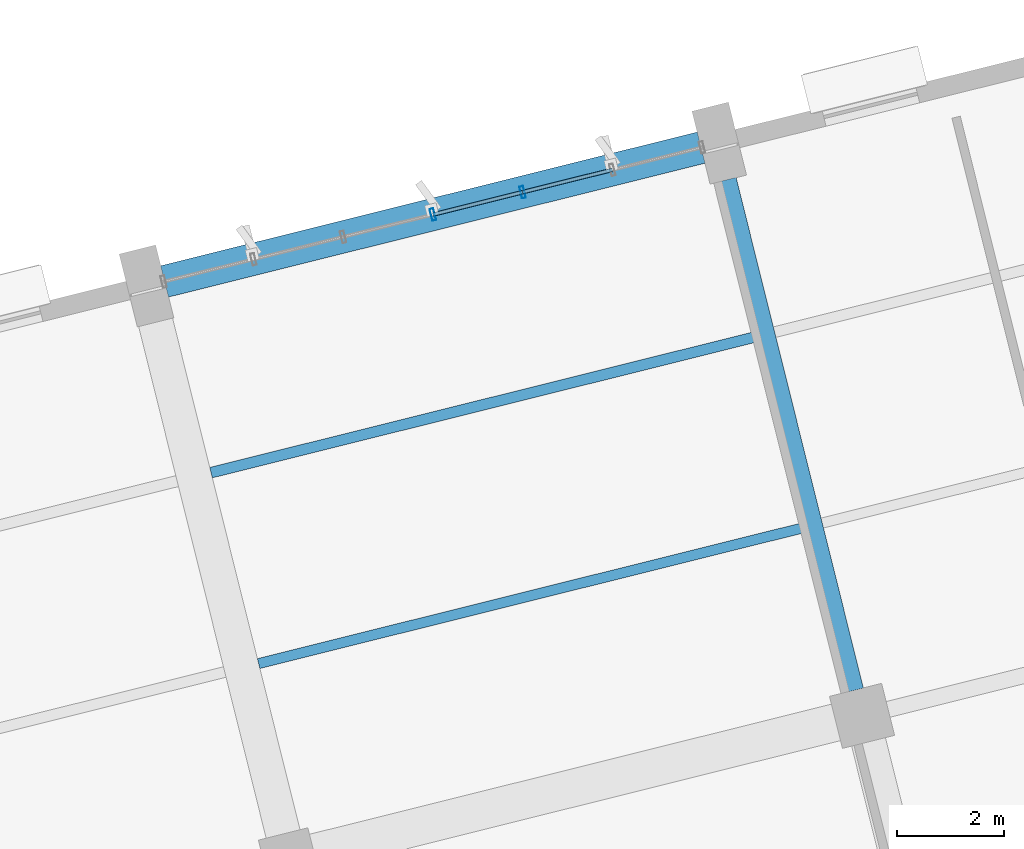
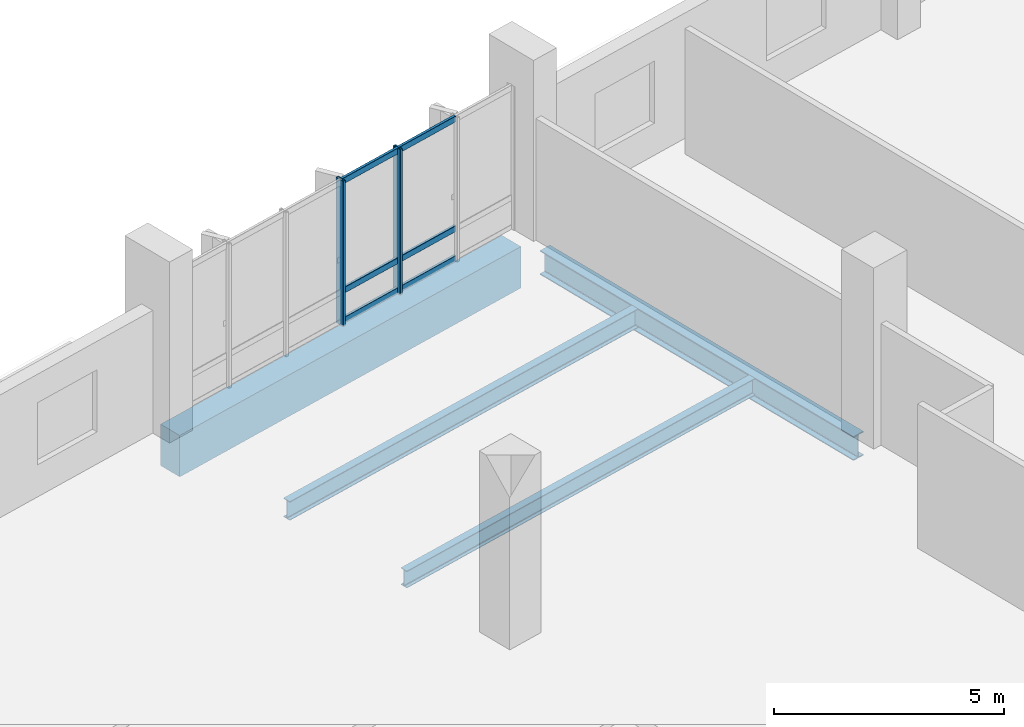
# One storey, part 98 of 137: 8 members, 4 beams, 1 element without a shape of its own.
"""IFC4 building model written with IfcOpenShell, lengths in metres."""

import ifcopenshell
import ifcopenshell.guid

model = None  # the IFC model being written
_history = None  # IfcOwnerHistory: only IFC2X3 demands one
_inside = {}  # id of a spatial element -> (the spatial element, [elements in it])
_under = {}  # id of a project, library or spatial element -> (it, [spatial elements below it])
_declared = {}  # id of a project -> (the project, [libraries it declares])
_typed = {}  # id of a type object -> (the type object, [elements of that type])
_made_of = {}  # id of a material, layer set ... -> (it, [elements and type objects made of it])


def new_model(schema):
    """Start an empty IFC model of exactly this schema.

    Asked for "IFC4X3", IfcOpenShell would pick the latest addendum, in which some entities
    have other attributes; the version numbers below select the first issue.
    IFC2X3 requires an IfcOwnerHistory on every rooted entity: one is made here for all.
    """
    global model, _history
    if schema == "IFC4X3":
        model = ifcopenshell.file(schema_version=(4, 3, 0, 0))
    else:
        model = ifcopenshell.file(schema=schema)
    _inside.clear()
    _under.clear()
    _declared.clear()
    _typed.clear()
    _made_of.clear()
    _history = None
    if model.schema == "IFC2X3":
        org = make("IfcOrganization", Name="unknown")
        user = make(
            "IfcPersonAndOrganization",
            ThePerson=make("IfcPerson", FamilyName="unknown"),
            TheOrganization=org,
        )
        app = make(
            "IfcApplication",
            ApplicationDeveloper=org,
            Version="unknown",
            ApplicationFullName="unknown",
            ApplicationIdentifier="unknown",
        )
        _history = make(
            "IfcOwnerHistory",
            OwningUser=user,
            OwningApplication=app,
            ChangeAction="ADDED",
            CreationDate=0,
        )
    return model


def make(cls, **values):
    """One entity of the class cls with the attributes given. An attribute that is None is left unset."""
    return model.create_entity(
        cls, **{name: value for name, value in values.items() if value is not None}
    )


def rooted(cls, **values):
    """An entity with a GlobalId (a new one), such as an element, a storey or a relation."""
    return make(cls, GlobalId=ifcopenshell.guid.new(), OwnerHistory=_history, **values)


def si_unit(unit_type, name, prefix=None):
    """IfcSIUnit, for example si_unit("LENGTHUNIT", "METRE", prefix="MILLI")."""
    return make("IfcSIUnit", UnitType=unit_type, Prefix=prefix, Name=name)


def assignment(units):
    """IfcUnitAssignment: the units of a project."""
    return None if units is None else make("IfcUnitAssignment", Units=units)


def point(xyz):
    """IfcCartesianPoint."""
    return None if xyz is None else make("IfcCartesianPoint", Coordinates=xyz)


def direction(xyz):
    """IfcDirection."""
    return None if xyz is None else make("IfcDirection", DirectionRatios=xyz)


def frame(location, z_axis=None, x_axis=None):
    """IfcAxis2Placement3D, a coordinate frame: its origin and axes. An axis left out is left unset."""
    return make(
        "IfcAxis2Placement3D",
        Location=point(location),
        Axis=direction(z_axis),
        RefDirection=direction(x_axis),
    )


def frame_2d(location, x_axis=None):
    """IfcAxis2Placement2D, a coordinate frame in the plane: its origin and x axis."""
    return make(
        "IfcAxis2Placement2D", Location=point(location), RefDirection=direction(x_axis)
    )


def origin():
    """The frame at (0, 0, 0) with its axes left unset."""
    return frame((0.0, 0.0, 0.0))


def origin_2d():
    """The frame at (0, 0) in the plane with its x axis left unset."""
    return frame_2d((0.0, 0.0))


def place(relative_to, where):
    """IfcLocalPlacement: puts the frame where relative to a parent placement (None: the world)."""
    return make(
        "IfcLocalPlacement", PlacementRelTo=relative_to, RelativePlacement=where
    )


def context(
    kind, dimensions, precision=None, world=None, true_north=None, identifier=None
):
    """IfcGeometricRepresentationContext, for example the 3D "Model" context."""
    return make(
        "IfcGeometricRepresentationContext",
        ContextIdentifier=identifier,
        ContextType=kind,
        CoordinateSpaceDimension=dimensions,
        Precision=precision,
        WorldCoordinateSystem=world,
        TrueNorth=true_north,
    )


def subcontext(parent, identifier, kind, view, scale=None):
    """IfcGeometricRepresentationSubContext, for example "Body" below "Model"."""
    return make(
        "IfcGeometricRepresentationSubContext",
        ContextIdentifier=identifier,
        ContextType=kind,
        ParentContext=parent,
        TargetScale=scale,
        TargetView=view,
    )


def project(units=None, contexts=None):
    """IfcProject with its units and contexts."""
    return rooted(
        "IfcProject",
        Name="project",
        RepresentationContexts=contexts,
        UnitsInContext=assignment(units),
    )


def spatial(cls, under=None, at=None, **own):
    """A site, building, storey or space (cls), placed at a placement, below another one or the project."""
    s = rooted(cls, ObjectPlacement=at, **own)
    if under is not None:
        _under.setdefault(under.id(), (under, []))[1].append(s)
    return s


def profile(cls, at=None, kind="AREA", **sizes):
    """A parametric profile (cls). Its sizes go by their IFC names, for example OverallWidth=200.0."""
    return make(cls, ProfileType=kind, Position=at, **sizes)


def rectangle(**sizes):
    """IfcRectangleProfileDef."""
    return profile("IfcRectangleProfileDef", **sizes)


def hollow_rectangle(**sizes):
    """IfcRectangleHollowProfileDef."""
    return profile("IfcRectangleHollowProfileDef", **sizes)


def i_section(**sizes):
    """IfcIShapeProfileDef."""
    return profile("IfcIShapeProfileDef", **sizes)


def extrude(swept, where, along, depth):
    """IfcExtrudedAreaSolid: the profile swept, set in the frame where, extruded along a direction by depth."""
    return make(
        "IfcExtrudedAreaSolid",
        SweptArea=swept,
        Position=where,
        ExtrudedDirection=direction(along),
        Depth=depth,
    )


def shape(context_of_items, identifier, shape_type, items):
    """IfcShapeRepresentation: the items that make up one representation, for example the "Body"."""
    return make(
        "IfcShapeRepresentation",
        ContextOfItems=context_of_items,
        RepresentationIdentifier=identifier,
        RepresentationType=shape_type,
        Items=items,
    )


def material(Name=None, Category=None):
    """IfcMaterial."""
    return make("IfcMaterial", Name=Name, Category=Category)


def layer(
    of_material, thickness, ventilated=None, Name=None, Category=None, Priority=None
):
    """IfcMaterialLayer: one layer of a wall or slab, of a material (None: an air gap)."""
    return make(
        "IfcMaterialLayer",
        Material=of_material,
        LayerThickness=thickness,
        IsVentilated=ventilated,
        Name=Name,
        Category=Category,
        Priority=Priority,
    )


def layer_set(layers, Name=None):
    """IfcMaterialLayerSet."""
    return make("IfcMaterialLayerSet", MaterialLayers=layers, LayerSetName=Name)


def material_profile(
    of_material, cross_section, Name=None, Category=None, Priority=None
):
    """IfcMaterialProfile: a cross section and its material."""
    return make(
        "IfcMaterialProfile",
        Name=Name,
        Material=of_material,
        Profile=cross_section,
        Priority=Priority,
        Category=Category,
    )


def profile_set(profiles, Name=None, composite=None):
    """IfcMaterialProfileSet."""
    return make(
        "IfcMaterialProfileSet",
        Name=Name,
        MaterialProfiles=profiles,
        CompositeProfile=composite,
    )


def made_of(thing, what):
    """Note that an element or type object is made of a material, layer set ...; save() writes the relation."""
    if what is not None:
        _made_of.setdefault(what.id(), (what, []))[1].append(thing)
    return thing


def type_object(cls, material=None, **own):
    """A type object (cls), such as IfcWallType, which elements share."""
    return made_of(rooted(cls, **own), material)


def element(
    cls,
    number,
    at=None,
    inside=None,
    cuts=None,
    type_object=None,
    material=None,
    context=None,
    identifier="Body",
    shape_type=None,
    held_by="IfcProductDefinitionShape",
    body=None,
    shapes=None,
    **own,
):
    """One element of the class cls, such as IfcWall. Its Tag is "e" and its number.

    at: its placement. inside: the storey or other place that contains it. cuts: it is an
    opening in that element (IfcRelVoidsElement). A single representation is given by context,
    identifier, shape_type and body (its items); several are given by shapes. held_by: the class
    of the entity that holds the representations. save() writes the other relations.
    """
    e = rooted(cls, Tag="e%d" % number, ObjectPlacement=at, **own)
    if body is not None:
        shapes = [shape(context, identifier, shape_type, body)]
    if shapes is not None:
        e.Representation = make(held_by, Representations=shapes)
    if inside is not None:
        _inside.setdefault(inside.id(), (inside, []))[1].append(e)
    if cuts is not None:
        rooted(
            "IfcRelVoidsElement", RelatingBuildingElement=cuts, RelatedOpeningElement=e
        )
    if type_object is not None:
        _typed.setdefault(type_object.id(), (type_object, []))[1].append(e)
    return made_of(e, material)


def aggregate(whole, parts):
    """IfcRelAggregates: a whole, such as a stair, and the parts it consists of."""
    return rooted("IfcRelAggregates", RelatingObject=whole, RelatedObjects=parts)


def save(model, path):
    """Write the relations noted so far, then the file.

    IfcRelAggregates (storeys below a building ...), IfcRelContainedInSpatialStructure (elements
    in a storey), IfcRelDefinesByType, IfcRelAssociatesMaterial and IfcRelDeclares: one each for
    every whole, place, type object, material and project.
    """
    for whole, parts in _under.values():
        aggregate(whole, parts)
    for where, things in _inside.values():
        rooted(
            "IfcRelContainedInSpatialStructure",
            RelatedElements=things,
            RelatingStructure=where,
        )
    for kind, things in _typed.values():
        rooted("IfcRelDefinesByType", RelatedObjects=things, RelatingType=kind)
    for what, things in _made_of.values():
        rooted("IfcRelAssociatesMaterial", RelatedObjects=things, RelatingMaterial=what)
    for by, libraries in _declared.values():
        rooted("IfcRelDeclares", RelatingContext=by, RelatedDefinitions=libraries)
    model.write(path)


model = new_model("IFC4")

# Units and contexts
model_context = context("Model", 3, precision=1e-05, world=origin(), true_north=direction((0.0, 1.0)))
body_context = subcontext(model_context, "Body", "Model", "MODEL_VIEW")
ifc_project = project(units=[si_unit("LENGTHUNIT", "METRE"), si_unit("AREAUNIT", "SQUARE_METRE"), si_unit("VOLUMEUNIT", "CUBIC_METRE"), si_unit("PLANEANGLEUNIT", "RADIAN"), si_unit("MASSUNIT", "GRAM", prefix="KILO")], contexts=[model_context])

# Site, building, storey
site_placement = place(None, origin())
site = spatial("IfcSite", under=ifc_project, at=site_placement, CompositionType="ELEMENT")
building_placement = place(site_placement, origin())
building = spatial("IfcBuilding", under=site, at=building_placement, Name="Khorjan Park Terminus", CompositionType="ELEMENT")
storey_placement = place(building_placement, frame((0.0, 0.0, 11.4)))
storey = spatial("IfcBuildingStorey", under=building, at=storey_placement, Name="L02", CompositionType="ELEMENT", Elevation=11.4)

# Beams
ifc_material_1 = material(Name="Steel S355", Category="steel")
ifc_material_profile_1 = material_profile(ifc_material_1, i_section(OverallWidth=0.3, OverallDepth=0.64, WebThickness=0.0135, FlangeThickness=0.026, FilletRadius=0.027, at=origin_2d()), Name="HEA 650")
ifc_profile_set_1 = profile_set([ifc_material_profile_1], Name="Steel S355")
beam_type_1 = type_object("IfcBeamType", Name="BM-HEA650", PredefinedType="BEAM", material=ifc_profile_set_1)
beam_1_placement = place(storey_placement, frame((195.2676, 66.4911, -0.66), z_axis=(-0.241926355562, 0.970294614272, 0.0), x_axis=(-0.970294614272, -0.241926355562, 0.0)))
element("IfcBeam", 1, at=beam_1_placement, inside=storey, type_object=beam_type_1, Name="Primary skew-grid floor girder SB-A65 (L02)", PredefinedType="BEAM", context=body_context, shape_type="SweptSolid", body=[
    extrude(i_section(OverallWidth=0.3, OverallDepth=0.64, WebThickness=0.0135, FlangeThickness=0.026, FilletRadius=0.027, at=origin_2d()), origin(), (0.0, 0.0, 1.0), 9.81),
])
ifc_material_2 = material(Name="Concrete C40/50", Category="concrete")
ifc_material_profile_2 = material_profile(ifc_material_2, rectangle(XDim=0.6, YDim=1.1, at=origin_2d()), Name="RC 600x1100")
ifc_profile_set_2 = profile_set([ifc_material_profile_2], Name="Concrete C40/50")
beam_type_2 = type_object("IfcBeamType", Name="BM-RC600x1100", PredefinedType="BEAM", material=ifc_profile_set_2)
beam_2_placement = place(storey_placement, frame((182.3877, 74.1064, -0.89), z_axis=(0.970295784153, 0.241921663468, 0.0), x_axis=(-0.241921663468, 0.970295784153, 0.0)))
element("IfcBeam", 2, at=beam_2_placement, inside=storey, type_object=beam_type_2, Name="Primary skew-grid floor girder GB-11 (L02)", PredefinedType="BEAM", context=body_context, shape_type="SweptSolid", body=[
    extrude(rectangle(XDim=0.6, YDim=1.1, at=origin_2d()), origin(), (0.0, 0.0, 1.0), 10.3099),
])
ifc_material_profile_3 = material_profile(ifc_material_1, i_section(OverallWidth=0.19, OverallDepth=0.45, WebThickness=0.0094, FlangeThickness=0.0146, FilletRadius=0.021, at=origin_2d()), Name="IPE 450")
ifc_profile_set_3 = profile_set([ifc_material_profile_3], Name="Steel S355")
beam_type_3 = type_object("IfcBeamType", Name="JS-IPE450", PredefinedType="JOIST", material=ifc_profile_set_3)
beam_3_placement = place(storey_placement, frame((184.1423, 66.9861, -0.565), z_axis=(0.970296558074, 0.241918559415, 0.0), x_axis=(-0.241918559415, 0.970296558074, 0.0)))
element("IfcBeam", 3, at=beam_3_placement, inside=storey, type_object=beam_type_3, Name="Secondary composite floor joist SJ-45 (L02)", PredefinedType="JOIST", context=body_context, shape_type="SweptSolid", body=[
    extrude(i_section(OverallWidth=0.19, OverallDepth=0.45, WebThickness=0.0094, FlangeThickness=0.0146, FilletRadius=0.021, at=origin_2d()), origin(), (0.0, 0.0, 1.0), 10.525),
])
ifc_material_profile_4 = material_profile(ifc_material_1, i_section(OverallWidth=0.2, OverallDepth=0.5, WebThickness=0.0102, FlangeThickness=0.016, FilletRadius=0.021, at=origin_2d()), Name="IPE 500")
ifc_profile_set_4 = profile_set([ifc_material_profile_4], Name="Steel S355")
beam_type_4 = type_object("IfcBeamType", Name="JS-IPE500", PredefinedType="JOIST", material=ifc_profile_set_4)
beam_4_placement = place(storey_placement, frame((183.2553, 70.5438, -0.59), z_axis=(0.970296558074, 0.241918559415, 0.0), x_axis=(-0.241918559415, 0.970296558074, 0.0)))
element("IfcBeam", 4, at=beam_4_placement, inside=storey, type_object=beam_type_4, Name="Secondary composite floor joist SJ-50 (L02)", PredefinedType="JOIST", context=body_context, shape_type="SweptSolid", body=[
    extrude(i_section(OverallWidth=0.2, OverallDepth=0.5, WebThickness=0.0102, FlangeThickness=0.016, FilletRadius=0.021, at=origin_2d()), origin(), (0.0, 0.0, 1.0), 10.525),
])

# Curtain wall, members
ifc_material_3 = material(Name="Anodized Bronze Aluminium", Category="aluminium")
ifc_layer = layer(ifc_material_3, 0.22)
ifc_layer_set = layer_set([ifc_layer], Name="Anodized Bronze Aluminium")
curtain_wall_type = type_object("IfcCurtainWallType", Name="CW-OPS-B", PredefinedType="NOTDEFINED", material=ifc_layer_set)
curtain_wall_placement = place(storey_placement, origin())
curtain_wall = element("IfcCurtainWall", 5, at=curtain_wall_placement, inside=storey, type_object=curtain_wall_type, Name="Unitized curtain wall CW-B (CW-V5-N1-L02-B03)", PredefinedType="NOTDEFINED")
ifc_material_profile_5 = material_profile(ifc_material_3, hollow_rectangle(XDim=0.075, YDim=0.225, WallThickness=0.005, InnerFilletRadius=0.005, OuterFilletRadius=0.01, at=origin_2d()), Name="ALM 75x225x5")
ifc_profile_set_5 = profile_set([ifc_material_profile_5], Name="Anodized Bronze Aluminium")
member_type_1 = type_object("IfcMemberType", Name="ML-ALM-225", PredefinedType="MULLION", material=ifc_profile_set_5)
member_1_placement = place(storey_placement, frame((189.0616, 75.7704, -0.035), z_axis=(0.0, 0.0, 1.0), x_axis=(-0.970295910648, -0.241921156122, 0.0)))
member_1 = element("IfcMember", 6, at=member_1_placement, type_object=member_type_1, Name="Curtain-wall mullion ML-22 (CW-V5-N1-L02-B03-2)", PredefinedType="MULLION", context=body_context, shape_type="SweptSolid", body=[
    extrude(hollow_rectangle(XDim=0.075, YDim=0.225, WallThickness=0.005, InnerFilletRadius=0.005, OuterFilletRadius=0.01, at=origin_2d()), origin(), (0.0, 0.0, 1.0), 3.855),
])
member_2_placement = place(storey_placement, frame((187.3895, 75.3535, -0.035), z_axis=(0.0, 0.0, 1.0), x_axis=(-0.970295910648, -0.241921156122, 0.0)))
member_2 = element("IfcMember", 7, at=member_2_placement, type_object=member_type_1, Name="Curtain-wall mullion ML-22 (CW-V5-N1-L02-B03-3)", PredefinedType="MULLION", context=body_context, shape_type="SweptSolid", body=[
    extrude(hollow_rectangle(XDim=0.075, YDim=0.225, WallThickness=0.005, InnerFilletRadius=0.005, OuterFilletRadius=0.01, at=origin_2d()), origin(), (0.0, 0.0, 1.0), 3.855),
])
ifc_material_profile_6 = material_profile(ifc_material_3, hollow_rectangle(XDim=0.07, YDim=0.16, WallThickness=0.004, InnerFilletRadius=0.004, OuterFilletRadius=0.008, at=origin_2d()), Name="ALT 70x160x4")
ifc_profile_set_6 = profile_set([ifc_material_profile_6], Name="Anodized Bronze Aluminium")
member_type_2 = type_object("IfcMemberType", Name="TR-ALT-160", PredefinedType="USERDEFINED", material=ifc_profile_set_6)
member_3_placement = place(storey_placement, frame((190.7337, 76.1873, 0.04), z_axis=(-0.970295910649, -0.241921156121, 0.0), x_axis=(0.241921156121, -0.970295910649, 0.0)))
member_3 = element("IfcMember", 8, at=member_3_placement, type_object=member_type_2, Name="Curtain-wall transom TR-16 (CW-V5-N1-L02-B03-1-1)", ObjectType="TRANSOM", PredefinedType="USERDEFINED", context=body_context, shape_type="SweptSolid", body=[
    extrude(hollow_rectangle(XDim=0.07, YDim=0.16, WallThickness=0.004, InnerFilletRadius=0.004, OuterFilletRadius=0.008, at=origin_2d()), origin(), (0.0, 0.0, 1.0), 1.7233),
])
member_4_placement = place(storey_placement, frame((190.7337, 76.1873, 0.833), z_axis=(-0.970295910649, -0.241921156121, 0.0), x_axis=(0.241921156121, -0.970295910649, 0.0)))
member_4 = element("IfcMember", 9, at=member_4_placement, type_object=member_type_2, Name="Curtain-wall transom TR-16 (CW-V5-N1-L02-B03-1-2)", ObjectType="TRANSOM", PredefinedType="USERDEFINED", context=body_context, shape_type="SweptSolid", body=[
    extrude(hollow_rectangle(XDim=0.07, YDim=0.16, WallThickness=0.004, InnerFilletRadius=0.004, OuterFilletRadius=0.008, at=origin_2d()), origin(), (0.0, 0.0, 1.0), 1.7233),
])
member_5_placement = place(storey_placement, frame((190.7337, 76.1873, 3.745), z_axis=(-0.970295910649, -0.241921156121, 0.0), x_axis=(0.241921156121, -0.970295910649, 0.0)))
member_5 = element("IfcMember", 10, at=member_5_placement, type_object=member_type_2, Name="Curtain-wall transom TR-16 (CW-V5-N1-L02-B03-1-3)", ObjectType="TRANSOM", PredefinedType="USERDEFINED", context=body_context, shape_type="SweptSolid", body=[
    extrude(hollow_rectangle(XDim=0.07, YDim=0.16, WallThickness=0.004, InnerFilletRadius=0.004, OuterFilletRadius=0.008, at=origin_2d()), origin(), (0.0, 0.0, 1.0), 1.7233),
])
member_6_placement = place(storey_placement, frame((189.0616, 75.7704, 0.04), z_axis=(-0.970295910649, -0.241921156121, 0.0), x_axis=(0.241921156121, -0.970295910649, 0.0)))
member_6 = element("IfcMember", 11, at=member_6_placement, type_object=member_type_2, Name="Curtain-wall transom TR-16 (CW-V5-N1-L02-B03-2-1)", ObjectType="TRANSOM", PredefinedType="USERDEFINED", context=body_context, shape_type="SweptSolid", body=[
    extrude(hollow_rectangle(XDim=0.07, YDim=0.16, WallThickness=0.004, InnerFilletRadius=0.004, OuterFilletRadius=0.008, at=origin_2d()), origin(), (0.0, 0.0, 1.0), 1.7233),
])
member_7_placement = place(storey_placement, frame((189.0616, 75.7704, 0.833), z_axis=(-0.970295910649, -0.241921156121, 0.0), x_axis=(0.241921156121, -0.970295910649, 0.0)))
member_7 = element("IfcMember", 12, at=member_7_placement, type_object=member_type_2, Name="Curtain-wall transom TR-16 (CW-V5-N1-L02-B03-2-2)", ObjectType="TRANSOM", PredefinedType="USERDEFINED", context=body_context, shape_type="SweptSolid", body=[
    extrude(hollow_rectangle(XDim=0.07, YDim=0.16, WallThickness=0.004, InnerFilletRadius=0.004, OuterFilletRadius=0.008, at=origin_2d()), origin(), (0.0, 0.0, 1.0), 1.7233),
])
member_8_placement = place(storey_placement, frame((189.0616, 75.7704, 3.745), z_axis=(-0.970295910649, -0.241921156121, 0.0), x_axis=(0.241921156121, -0.970295910649, 0.0)))
member_8 = element("IfcMember", 13, at=member_8_placement, type_object=member_type_2, Name="Curtain-wall transom TR-16 (CW-V5-N1-L02-B03-2-3)", ObjectType="TRANSOM", PredefinedType="USERDEFINED", context=body_context, shape_type="SweptSolid", body=[
    extrude(hollow_rectangle(XDim=0.07, YDim=0.16, WallThickness=0.004, InnerFilletRadius=0.004, OuterFilletRadius=0.008, at=origin_2d()), origin(), (0.0, 0.0, 1.0), 1.7233),
])
aggregate(curtain_wall, [member_1, member_2, member_3, member_4, member_5, member_6, member_7, member_8])

save(model, "model.ifc")
